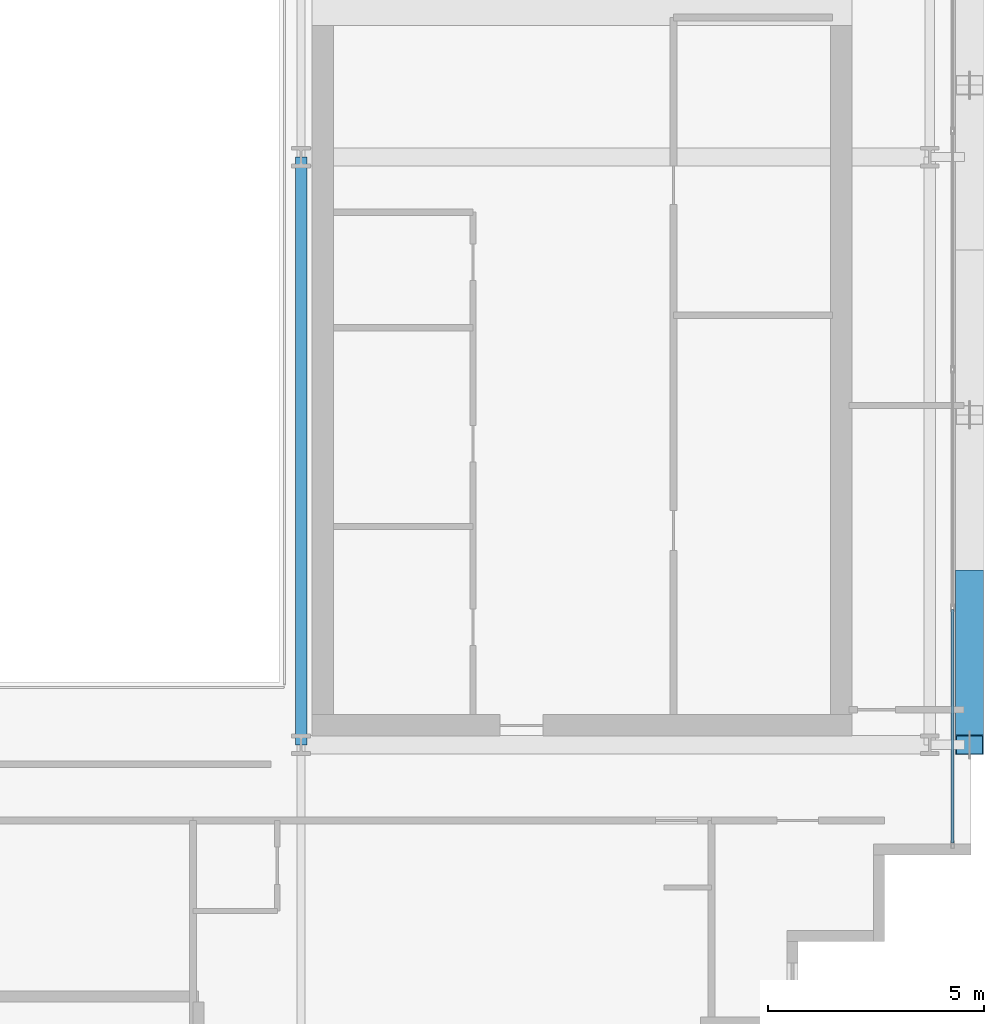
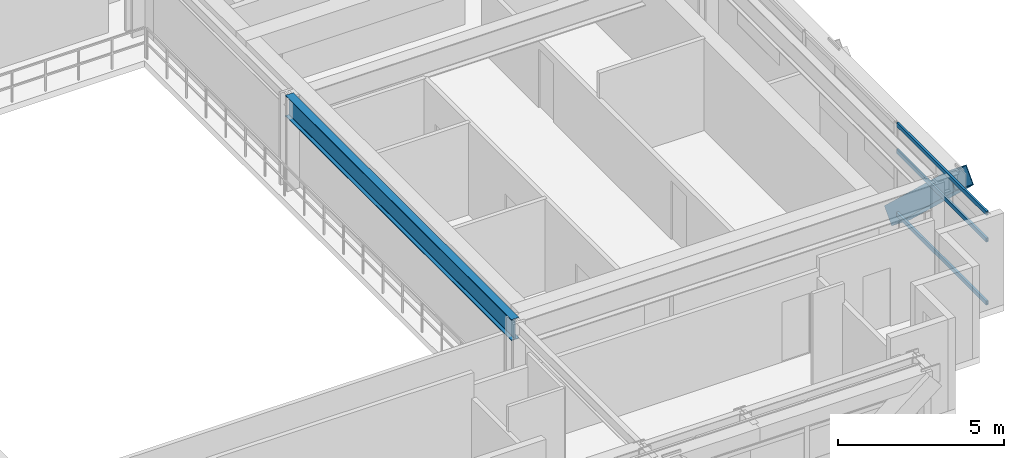
# One storey, part 11 of 31: 4 members, 1 beam, 1 element without a shape of its own.
"""IFC4 building model written with IfcOpenShell, lengths in metres."""

from ifc_helpers import new_model, si_unit, direction, frame, origin, origin_2d, place, context, subcontext, project, spatial, hollow_rectangle, i_section, extrude, source, transform, mapped, material, layer, layer_set, material_profile, profile_set, type_object, element, aggregate, save


model = new_model("IFC4")

# Units and contexts
model_context = context("Model", 3, precision=1e-05, world=origin(), true_north=direction((0.0, 1.0)))
body_context = subcontext(model_context, "Body", "Model", "MODEL_VIEW")
ifc_project = project(units=[si_unit("LENGTHUNIT", "METRE"), si_unit("AREAUNIT", "SQUARE_METRE"), si_unit("VOLUMEUNIT", "CUBIC_METRE"), si_unit("PLANEANGLEUNIT", "RADIAN"), si_unit("MASSUNIT", "GRAM", prefix="KILO")], contexts=[model_context])

# Site, building, storey
site_placement = place(None, origin())
site = spatial("IfcSite", under=ifc_project, at=site_placement, CompositionType="ELEMENT")
building_placement = place(site_placement, origin())
building = spatial("IfcBuilding", under=site, at=building_placement, Name="Ocotamira Hotel", CompositionType="ELEMENT")
storey_placement = place(building_placement, frame((0.0, 0.0, 199.199951171875)))
storey = spatial("IfcBuildingStorey", under=building, at=storey_placement, Name="L50", CompositionType="ELEMENT", Elevation=199.199951171875)

# Beam
ifc_material_1 = material(Name="Steel ASTM A992 Grade 50", Category="steel")
ifc_material_profile_1 = material_profile(ifc_material_1, i_section(OverallWidth=0.26611328125, OverallDepth=0.779052734375, WebThickness=0.0166015625, FlangeThickness=0.030029296875, FilletRadius=0.01806640625, at=origin_2d()), Name="W30X148")
ifc_profile_set_1 = profile_set([ifc_material_profile_1], Name="Steel ASTM A992 Grade 50")
beam_type = type_object("IfcBeamType", Name="BM-GIRD-W30X148", PredefinedType="BEAM", material=ifc_profile_set_1)
shared_shape_1 = source(origin(), body_context, "Body", "SweptSolid", [
    extrude(i_section(OverallWidth=0.26611328125, OverallDepth=0.779052734375, WebThickness=0.0166015625, FlangeThickness=0.030029296875, FilletRadius=0.01806640625, at=origin_2d()), origin(), (0.0, 0.0, 1.0), 13.599853515625),
])
beam_placement = place(storey_placement, frame((40.5, 14.550048828125, 2.98046875), z_axis=(0.0, 1.0, 0.0), x_axis=(-1.0, 0.0, 0.0)))
element("IfcBeam", 1, at=beam_placement, inside=storey, type_object=beam_type, Name="L50 Beam X40.5 Y14.55-28.15", PredefinedType="BEAM", context=body_context, shape_type="MappedRepresentation", body=[
    mapped(shared_shape_1, transform((0.0, 0.0, 0.0), scale=1.0)),
])

# Member
ifc_material_2 = material(Name="Pale-metal coated steel ASTM A913 Grade 65", Category="steel")
ifc_material_profile_2 = material_profile(ifc_material_2, hollow_rectangle(XDim=0.64990234375, YDim=0.64990234375, WallThickness=0.02197265625, at=origin_2d()), Name="BOX650X650X22")
ifc_profile_set_2 = profile_set([ifc_material_profile_2], Name="Pale-metal coated steel ASTM A913 Grade 65")
member_type_1 = type_object("IfcMemberType", Name="MEM-EXO-BOX650", PredefinedType="BRACE", material=ifc_profile_set_2)
shared_shape_2 = source(origin(), body_context, "Body", "SweptSolid", [
    extrude(hollow_rectangle(XDim=0.64990234375, YDim=0.64990234375, WallThickness=0.02197265625, at=origin_2d()), origin(), (0.0, 0.0, 1.0), 5.24658203125),
])
member_1_placement = place(storey_placement, frame((55.969970703125, 18.36669921875, -0.47998046875), z_axis=(0.0, -0.727442733726, 0.686168397078), x_axis=(1.0, 0.0, 0.0)))
element("IfcMember", 2, at=member_1_placement, inside=storey, type_object=member_type_1, Name="L50 Exoskeleton Diagrid E0.1", PredefinedType="BRACE", context=body_context, shape_type="MappedRepresentation", body=[
    mapped(shared_shape_2, transform((0.0, 0.0, 0.0), scale=1.0)),
])

# Curtain wall, members
ifc_material_3 = material(Name="Anodised pale-metal aluminium and solar glass", Category="aluminium")
ifc_layer = layer(ifc_material_3, 0.199951171875)
ifc_layer_set = layer_set([ifc_layer], Name="Anodised pale-metal aluminium and solar glass")
curtain_wall_type = type_object("IfcCurtainWallType", Name="CW-SYS4-Z3", PredefinedType="NOTDEFINED", material=ifc_layer_set)
curtain_wall_placement = place(storey_placement, origin())
curtain_wall = element("IfcCurtainWall", 3, at=curtain_wall_placement, inside=storey, type_object=curtain_wall_type, Name="L50 Curtain Wall CW-4 CW-L50-E", PredefinedType="NOTDEFINED")
ifc_material_4 = material(Name="Anodised pale-metal aluminium 6063-T6", Category="aluminium")
ifc_material_profile_3 = material_profile(ifc_material_4, hollow_rectangle(XDim=0.074951171875, YDim=0.14990234375, WallThickness=0.006103515625, at=origin_2d()), Name="HSS150X75X6")
ifc_profile_set_3 = profile_set([ifc_material_profile_3], Name="Anodised pale-metal aluminium 6063-T6")
member_type_2 = type_object("IfcMemberType", Name="CWT-150X75", PredefinedType="USERDEFINED", material=ifc_profile_set_3)
shared_shape_3 = source(origin(), body_context, "Body", "SweptSolid", [
    extrude(hollow_rectangle(XDim=0.074951171875, YDim=0.14990234375, WallThickness=0.006103515625, at=origin_2d()), origin(), (0.0, 0.0, 1.0), 5.39990234375),
])
member_2_placement = place(storey_placement, frame((55.580078125, 12.280029296875, 0.03759765625), z_axis=(0.0, 1.0, 0.0), x_axis=(-1.0, 0.0, 0.0)))
member_2 = element("IfcMember", 4, at=member_2_placement, type_object=member_type_2, Name="CW-4 transom 1.1", ObjectType="TRANSOM", PredefinedType="USERDEFINED", context=body_context, shape_type="MappedRepresentation", body=[
    mapped(shared_shape_3, transform((0.0, 0.0, 0.0), scale=1.0)),
])
member_3_placement = place(storey_placement, frame((55.580078125, 12.280029296875, 2.35009765625), z_axis=(0.0, 1.0, 0.0), x_axis=(-1.0, 0.0, 0.0)))
member_3 = element("IfcMember", 5, at=member_3_placement, type_object=member_type_2, Name="CW-4 transom 1.2", ObjectType="TRANSOM", PredefinedType="USERDEFINED", context=body_context, shape_type="MappedRepresentation", body=[
    mapped(shared_shape_3, transform((0.0, 0.0, 0.0), scale=1.0)),
])
member_4_placement = place(storey_placement, frame((55.580078125, 12.280029296875, 3.33251953125), z_axis=(0.0, 1.0, 0.0), x_axis=(-1.0, 0.0, 0.0)))
member_4 = element("IfcMember", 6, at=member_4_placement, type_object=member_type_2, Name="CW-4 transom 1.3", ObjectType="TRANSOM", PredefinedType="USERDEFINED", context=body_context, shape_type="MappedRepresentation", body=[
    mapped(shared_shape_3, transform((0.0, 0.0, 0.0), scale=1.0)),
])
aggregate(curtain_wall, [member_2, member_3, member_4])

save(model, "model.ifc")
